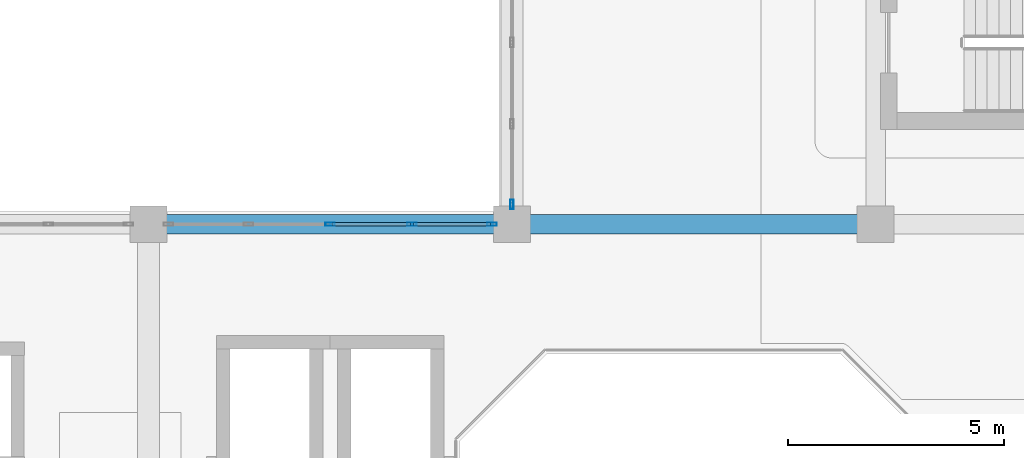
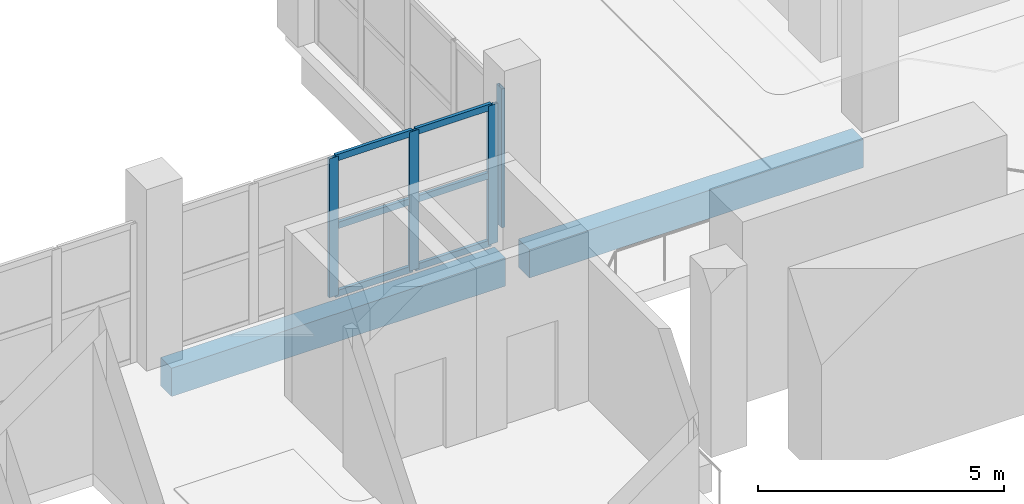
# One storey, part 53 of 129: 10 members, 2 beams, 2 elements without a shape of their own.
"""IFC4 building model written with IfcOpenShell, lengths in metres."""

import ifcopenshell
import ifcopenshell.guid

model = None  # the IFC model being written
_history = None  # IfcOwnerHistory: only IFC2X3 demands one
_inside = {}  # id of a spatial element -> (the spatial element, [elements in it])
_under = {}  # id of a project, library or spatial element -> (it, [spatial elements below it])
_declared = {}  # id of a project -> (the project, [libraries it declares])
_typed = {}  # id of a type object -> (the type object, [elements of that type])
_made_of = {}  # id of a material, layer set ... -> (it, [elements and type objects made of it])


def new_model(schema):
    """Start an empty IFC model of exactly this schema.

    Asked for "IFC4X3", IfcOpenShell would pick the latest addendum, in which some entities
    have other attributes; the version numbers below select the first issue.
    IFC2X3 requires an IfcOwnerHistory on every rooted entity: one is made here for all.
    """
    global model, _history
    if schema == "IFC4X3":
        model = ifcopenshell.file(schema_version=(4, 3, 0, 0))
    else:
        model = ifcopenshell.file(schema=schema)
    _inside.clear()
    _under.clear()
    _declared.clear()
    _typed.clear()
    _made_of.clear()
    _history = None
    if model.schema == "IFC2X3":
        org = make("IfcOrganization", Name="unknown")
        user = make(
            "IfcPersonAndOrganization",
            ThePerson=make("IfcPerson", FamilyName="unknown"),
            TheOrganization=org,
        )
        app = make(
            "IfcApplication",
            ApplicationDeveloper=org,
            Version="unknown",
            ApplicationFullName="unknown",
            ApplicationIdentifier="unknown",
        )
        _history = make(
            "IfcOwnerHistory",
            OwningUser=user,
            OwningApplication=app,
            ChangeAction="ADDED",
            CreationDate=0,
        )
    return model


def make(cls, **values):
    """One entity of the class cls with the attributes given. An attribute that is None is left unset."""
    return model.create_entity(
        cls, **{name: value for name, value in values.items() if value is not None}
    )


def rooted(cls, **values):
    """An entity with a GlobalId (a new one), such as an element, a storey or a relation."""
    return make(cls, GlobalId=ifcopenshell.guid.new(), OwnerHistory=_history, **values)


def si_unit(unit_type, name, prefix=None):
    """IfcSIUnit, for example si_unit("LENGTHUNIT", "METRE", prefix="MILLI")."""
    return make("IfcSIUnit", UnitType=unit_type, Prefix=prefix, Name=name)


def assignment(units):
    """IfcUnitAssignment: the units of a project."""
    return None if units is None else make("IfcUnitAssignment", Units=units)


def point(xyz):
    """IfcCartesianPoint."""
    return None if xyz is None else make("IfcCartesianPoint", Coordinates=xyz)


def direction(xyz):
    """IfcDirection."""
    return None if xyz is None else make("IfcDirection", DirectionRatios=xyz)


def frame(location, z_axis=None, x_axis=None):
    """IfcAxis2Placement3D, a coordinate frame: its origin and axes. An axis left out is left unset."""
    return make(
        "IfcAxis2Placement3D",
        Location=point(location),
        Axis=direction(z_axis),
        RefDirection=direction(x_axis),
    )


def frame_2d(location, x_axis=None):
    """IfcAxis2Placement2D, a coordinate frame in the plane: its origin and x axis."""
    return make(
        "IfcAxis2Placement2D", Location=point(location), RefDirection=direction(x_axis)
    )


def origin():
    """The frame at (0, 0, 0) with its axes left unset."""
    return frame((0.0, 0.0, 0.0))


def origin_2d():
    """The frame at (0, 0) in the plane with its x axis left unset."""
    return frame_2d((0.0, 0.0))


def place(relative_to, where):
    """IfcLocalPlacement: puts the frame where relative to a parent placement (None: the world)."""
    return make(
        "IfcLocalPlacement", PlacementRelTo=relative_to, RelativePlacement=where
    )


def context(
    kind, dimensions, precision=None, world=None, true_north=None, identifier=None
):
    """IfcGeometricRepresentationContext, for example the 3D "Model" context."""
    return make(
        "IfcGeometricRepresentationContext",
        ContextIdentifier=identifier,
        ContextType=kind,
        CoordinateSpaceDimension=dimensions,
        Precision=precision,
        WorldCoordinateSystem=world,
        TrueNorth=true_north,
    )


def subcontext(parent, identifier, kind, view, scale=None):
    """IfcGeometricRepresentationSubContext, for example "Body" below "Model"."""
    return make(
        "IfcGeometricRepresentationSubContext",
        ContextIdentifier=identifier,
        ContextType=kind,
        ParentContext=parent,
        TargetScale=scale,
        TargetView=view,
    )


def project(units=None, contexts=None):
    """IfcProject with its units and contexts."""
    return rooted(
        "IfcProject",
        Name="project",
        RepresentationContexts=contexts,
        UnitsInContext=assignment(units),
    )


def spatial(cls, under=None, at=None, **own):
    """A site, building, storey or space (cls), placed at a placement, below another one or the project."""
    s = rooted(cls, ObjectPlacement=at, **own)
    if under is not None:
        _under.setdefault(under.id(), (under, []))[1].append(s)
    return s


def profile(cls, at=None, kind="AREA", **sizes):
    """A parametric profile (cls). Its sizes go by their IFC names, for example OverallWidth=200.0."""
    return make(cls, ProfileType=kind, Position=at, **sizes)


def rectangle(**sizes):
    """IfcRectangleProfileDef."""
    return profile("IfcRectangleProfileDef", **sizes)


def hollow_rectangle(**sizes):
    """IfcRectangleHollowProfileDef."""
    return profile("IfcRectangleHollowProfileDef", **sizes)


def extrude(swept, where, along, depth):
    """IfcExtrudedAreaSolid: the profile swept, set in the frame where, extruded along a direction by depth."""
    return make(
        "IfcExtrudedAreaSolid",
        SweptArea=swept,
        Position=where,
        ExtrudedDirection=direction(along),
        Depth=depth,
    )


def shape(context_of_items, identifier, shape_type, items):
    """IfcShapeRepresentation: the items that make up one representation, for example the "Body"."""
    return make(
        "IfcShapeRepresentation",
        ContextOfItems=context_of_items,
        RepresentationIdentifier=identifier,
        RepresentationType=shape_type,
        Items=items,
    )


def material(Name=None, Category=None):
    """IfcMaterial."""
    return make("IfcMaterial", Name=Name, Category=Category)


def layer(
    of_material, thickness, ventilated=None, Name=None, Category=None, Priority=None
):
    """IfcMaterialLayer: one layer of a wall or slab, of a material (None: an air gap)."""
    return make(
        "IfcMaterialLayer",
        Material=of_material,
        LayerThickness=thickness,
        IsVentilated=ventilated,
        Name=Name,
        Category=Category,
        Priority=Priority,
    )


def layer_set(layers, Name=None):
    """IfcMaterialLayerSet."""
    return make("IfcMaterialLayerSet", MaterialLayers=layers, LayerSetName=Name)


def material_profile(
    of_material, cross_section, Name=None, Category=None, Priority=None
):
    """IfcMaterialProfile: a cross section and its material."""
    return make(
        "IfcMaterialProfile",
        Name=Name,
        Material=of_material,
        Profile=cross_section,
        Priority=Priority,
        Category=Category,
    )


def profile_set(profiles, Name=None, composite=None):
    """IfcMaterialProfileSet."""
    return make(
        "IfcMaterialProfileSet",
        Name=Name,
        MaterialProfiles=profiles,
        CompositeProfile=composite,
    )


def made_of(thing, what):
    """Note that an element or type object is made of a material, layer set ...; save() writes the relation."""
    if what is not None:
        _made_of.setdefault(what.id(), (what, []))[1].append(thing)
    return thing


def type_object(cls, material=None, **own):
    """A type object (cls), such as IfcWallType, which elements share."""
    return made_of(rooted(cls, **own), material)


def element(
    cls,
    number,
    at=None,
    inside=None,
    cuts=None,
    type_object=None,
    material=None,
    context=None,
    identifier="Body",
    shape_type=None,
    held_by="IfcProductDefinitionShape",
    body=None,
    shapes=None,
    **own,
):
    """One element of the class cls, such as IfcWall. Its Tag is "e" and its number.

    at: its placement. inside: the storey or other place that contains it. cuts: it is an
    opening in that element (IfcRelVoidsElement). A single representation is given by context,
    identifier, shape_type and body (its items); several are given by shapes. held_by: the class
    of the entity that holds the representations. save() writes the other relations.
    """
    e = rooted(cls, Tag="e%d" % number, ObjectPlacement=at, **own)
    if body is not None:
        shapes = [shape(context, identifier, shape_type, body)]
    if shapes is not None:
        e.Representation = make(held_by, Representations=shapes)
    if inside is not None:
        _inside.setdefault(inside.id(), (inside, []))[1].append(e)
    if cuts is not None:
        rooted(
            "IfcRelVoidsElement", RelatingBuildingElement=cuts, RelatedOpeningElement=e
        )
    if type_object is not None:
        _typed.setdefault(type_object.id(), (type_object, []))[1].append(e)
    return made_of(e, material)


def aggregate(whole, parts):
    """IfcRelAggregates: a whole, such as a stair, and the parts it consists of."""
    return rooted("IfcRelAggregates", RelatingObject=whole, RelatedObjects=parts)


def save(model, path):
    """Write the relations noted so far, then the file.

    IfcRelAggregates (storeys below a building ...), IfcRelContainedInSpatialStructure (elements
    in a storey), IfcRelDefinesByType, IfcRelAssociatesMaterial and IfcRelDeclares: one each for
    every whole, place, type object, material and project.
    """
    for whole, parts in _under.values():
        aggregate(whole, parts)
    for where, things in _inside.values():
        rooted(
            "IfcRelContainedInSpatialStructure",
            RelatedElements=things,
            RelatingStructure=where,
        )
    for kind, things in _typed.values():
        rooted("IfcRelDefinesByType", RelatedObjects=things, RelatingType=kind)
    for what, things in _made_of.values():
        rooted("IfcRelAssociatesMaterial", RelatedObjects=things, RelatingMaterial=what)
    for by, libraries in _declared.values():
        rooted("IfcRelDeclares", RelatingContext=by, RelatedDefinitions=libraries)
    model.write(path)


model = new_model("IFC4")

# Units and contexts
model_context = context("Model", 3, precision=1e-05, world=origin(), true_north=direction((0.0, 1.0)))
body_context = subcontext(model_context, "Body", "Model", "MODEL_VIEW")
ifc_project = project(units=[si_unit("LENGTHUNIT", "METRE"), si_unit("AREAUNIT", "SQUARE_METRE"), si_unit("VOLUMEUNIT", "CUBIC_METRE"), si_unit("PLANEANGLEUNIT", "RADIAN"), si_unit("MASSUNIT", "GRAM", prefix="KILO")], contexts=[model_context])

# Site, building, storey
site_placement = place(None, origin())
site = spatial("IfcSite", under=ifc_project, at=site_placement, CompositionType="ELEMENT")
building_placement = place(site_placement, origin())
building = spatial("IfcBuilding", under=site, at=building_placement, Name="Xazarin Passage Department Store", CompositionType="ELEMENT")
storey_placement = place(building_placement, frame((0.0, 0.0, 9.89990234375)))
storey = spatial("IfcBuildingStorey", under=building, at=storey_placement, Name="L02", CompositionType="ELEMENT", Elevation=9.89990234375)

# Curtain wall, members
ifc_material_1 = material(Name="Bronze anodised aluminium", Category="aluminium")
ifc_layer = layer(ifc_material_1, 0.199951171875)
ifc_layer_set = layer_set([ifc_layer], Name="Bronze anodised aluminium")
curtain_wall_type = type_object("IfcCurtainWallType", Name="ARC-CW-VIT2", PredefinedType="NOTDEFINED", material=ifc_layer_set)
curtain_wall_1_placement = place(storey_placement, origin())
curtain_wall_1 = element("IfcCurtainWall", 1, at=curtain_wall_1_placement, inside=storey, type_object=curtain_wall_type, Name="L02 V1 Curtain Wall 040", PredefinedType="NOTDEFINED")
ifc_material_profile_1 = material_profile(ifc_material_1, hollow_rectangle(XDim=0.074951171875, YDim=0.219970703125, WallThickness=0.0048828125, at=origin_2d()), Name="ALU 75x220")
ifc_profile_set_1 = profile_set([ifc_material_profile_1], Name="Bronze anodised aluminium")
member_type_1 = type_object("IfcMemberType", Name="ARC-CWM-75x220", PredefinedType="MULLION", material=ifc_profile_set_1)
member_1_placement = place(storey_placement, frame((12.60009765625, 101.60009765625, 0.0), z_axis=(0.0, 0.0, 1.0), x_axis=(0.0, 1.0, 0.0)))
member_1 = element("IfcMember", 2, at=member_1_placement, type_object=member_type_1, Name="CW2 mullion 3", PredefinedType="MULLION", context=body_context, shape_type="SweptSolid", body=[
    extrude(hollow_rectangle(XDim=0.074951171875, YDim=0.219970703125, WallThickness=0.0048828125, at=origin_2d()), origin(), (0.0, 0.0, 1.0), 3.4501953125),
])
member_2_placement = place(storey_placement, frame((14.487548828125, 101.60009765625, 0.0), z_axis=(0.0, 0.0, 1.0), x_axis=(0.0, 1.0, 0.0)))
member_2 = element("IfcMember", 3, at=member_2_placement, type_object=member_type_1, Name="CW2 mullion 4", PredefinedType="MULLION", context=body_context, shape_type="SweptSolid", body=[
    extrude(hollow_rectangle(XDim=0.074951171875, YDim=0.219970703125, WallThickness=0.0048828125, at=origin_2d()), origin(), (0.0, 0.0, 1.0), 3.4501953125),
])
member_3_placement = place(storey_placement, frame((16.33740234375, 101.60009765625, 0.0), z_axis=(0.0, 0.0, 1.0), x_axis=(0.0, 1.0, 0.0)))
member_3 = element("IfcMember", 4, at=member_3_placement, type_object=member_type_1, Name="CW2 mullion 5", PredefinedType="MULLION", context=body_context, shape_type="SweptSolid", body=[
    extrude(hollow_rectangle(XDim=0.074951171875, YDim=0.219970703125, WallThickness=0.0048828125, at=origin_2d()), origin(), (0.0, 0.0, 1.0), 3.4501953125),
])

# Curtain wall, member
curtain_wall_2_placement = place(storey_placement, origin())
curtain_wall_2 = element("IfcCurtainWall", 5, at=curtain_wall_2_placement, inside=storey, type_object=curtain_wall_type, Name="L02 V1 Curtain Wall 050", PredefinedType="NOTDEFINED")
member_4_placement = place(storey_placement, frame((16.800048828125, 102.0625, 0.0), z_axis=(0.0, 0.0, 1.0), x_axis=(-1.0, 0.0, 0.0)))
member_4 = element("IfcMember", 6, at=member_4_placement, type_object=member_type_1, Name="CW2 mullion 1", PredefinedType="MULLION", context=body_context, shape_type="SweptSolid", body=[
    extrude(hollow_rectangle(XDim=0.074951171875, YDim=0.219970703125, WallThickness=0.0048828125, at=origin_2d()), origin(), (0.0, 0.0, 1.0), 3.4501953125),
])
aggregate(curtain_wall_2, [member_4])

# Member
ifc_material_profile_2 = material_profile(ifc_material_1, hollow_rectangle(XDim=0.074951171875, YDim=0.159912109375, WallThickness=0.00439453125, at=origin_2d()), Name="ALU 75x160")
ifc_profile_set_2 = profile_set([ifc_material_profile_2], Name="Bronze anodised aluminium")
member_type_2 = type_object("IfcMemberType", Name="ARC-CWT-75x160", PredefinedType="USERDEFINED", material=ifc_profile_set_2)
member_5_placement = place(storey_placement, frame((12.637451171875, 101.60009765625, 0.03759765625), z_axis=(1.0, 0.0, 0.0), x_axis=(0.0, 1.0, 0.0)))
member_5 = element("IfcMember", 7, at=member_5_placement, type_object=member_type_2, Name="CW2 transom 3.1", ObjectType="TRANSOM", PredefinedType="USERDEFINED", context=body_context, shape_type="SweptSolid", body=[
    extrude(hollow_rectangle(XDim=0.074951171875, YDim=0.159912109375, WallThickness=0.00439453125, at=origin_2d()), origin(), (0.0, 0.0, 1.0), 1.8125),
])

member_6_placement = place(storey_placement, frame((12.637451171875, 101.60009765625, 1.72509765625), z_axis=(1.0, 0.0, 0.0), x_axis=(0.0, 1.0, 0.0)))
member_6 = element("IfcMember", 8, at=member_6_placement, type_object=member_type_2, Name="CW2 transom 3.2", ObjectType="TRANSOM", PredefinedType="USERDEFINED", context=body_context, shape_type="SweptSolid", body=[
    extrude(hollow_rectangle(XDim=0.074951171875, YDim=0.159912109375, WallThickness=0.00439453125, at=origin_2d()), origin(), (0.0, 0.0, 1.0), 1.8125),
])

member_7_placement = place(storey_placement, frame((12.637451171875, 101.60009765625, 3.41259765625), z_axis=(1.0, 0.0, 0.0), x_axis=(0.0, 1.0, 0.0)))
member_7 = element("IfcMember", 9, at=member_7_placement, type_object=member_type_2, Name="CW2 transom 3.3", ObjectType="TRANSOM", PredefinedType="USERDEFINED", context=body_context, shape_type="SweptSolid", body=[
    extrude(hollow_rectangle(XDim=0.074951171875, YDim=0.159912109375, WallThickness=0.00439453125, at=origin_2d()), origin(), (0.0, 0.0, 1.0), 1.8125),
])

member_8_placement = place(storey_placement, frame((14.52490234375, 101.60009765625, 0.03759765625), z_axis=(1.0, 0.0, 0.0), x_axis=(0.0, 1.0, 0.0)))
member_8 = element("IfcMember", 10, at=member_8_placement, type_object=member_type_2, Name="CW2 transom 4.1", ObjectType="TRANSOM", PredefinedType="USERDEFINED", context=body_context, shape_type="SweptSolid", body=[
    extrude(hollow_rectangle(XDim=0.074951171875, YDim=0.159912109375, WallThickness=0.00439453125, at=origin_2d()), origin(), (0.0, 0.0, 1.0), 1.775146484375),
])

member_9_placement = place(storey_placement, frame((14.52490234375, 101.60009765625, 1.72509765625), z_axis=(1.0, 0.0, 0.0), x_axis=(0.0, 1.0, 0.0)))
member_9 = element("IfcMember", 11, at=member_9_placement, type_object=member_type_2, Name="CW2 transom 4.2", ObjectType="TRANSOM", PredefinedType="USERDEFINED", context=body_context, shape_type="SweptSolid", body=[
    extrude(hollow_rectangle(XDim=0.074951171875, YDim=0.159912109375, WallThickness=0.00439453125, at=origin_2d()), origin(), (0.0, 0.0, 1.0), 1.775146484375),
])

member_10_placement = place(storey_placement, frame((14.52490234375, 101.60009765625, 3.41259765625), z_axis=(1.0, 0.0, 0.0), x_axis=(0.0, 1.0, 0.0)))
member_10 = element("IfcMember", 12, at=member_10_placement, type_object=member_type_2, Name="CW2 transom 4.3", ObjectType="TRANSOM", PredefinedType="USERDEFINED", context=body_context, shape_type="SweptSolid", body=[
    extrude(hollow_rectangle(XDim=0.074951171875, YDim=0.159912109375, WallThickness=0.00439453125, at=origin_2d()), origin(), (0.0, 0.0, 1.0), 1.775146484375),
])

aggregate(curtain_wall_1, [member_1, member_2, member_3, member_5, member_6, member_7, member_8, member_9, member_10])

# Beams
ifc_material_2 = material(Name="Concrete C35/45", Category="concrete")
ifc_material_profile_3 = material_profile(ifc_material_2, rectangle(XDim=0.449951171875, YDim=0.699951171875, at=origin_2d()), Name="RC 450x700")
ifc_profile_set_3 = profile_set([ifc_material_profile_3], Name="Concrete C35/45")
beam_type = type_object("IfcBeamType", Name="STR-BM-G450x700", PredefinedType="BEAM", material=ifc_profile_set_3)
beam_1_placement = place(storey_placement, frame((8.679931640625, 101.60009765625, -0.64990234375), z_axis=(1.0, 0.0, 0.0), x_axis=(0.0, 1.0, 0.0)))
element("IfcBeam", 13, at=beam_1_placement, inside=storey, type_object=beam_type, Name="L02 Grid Beam P/2-3", PredefinedType="BEAM", context=body_context, shape_type="SweptSolid", body=[
    extrude(rectangle(XDim=0.449951171875, YDim=0.699951171875, at=origin_2d()), origin(), (0.0, 0.0, 1.0), 7.840087890625),
])
beam_2_placement = place(storey_placement, frame((17.080078125, 101.60009765625, -0.64990234375), z_axis=(1.0, 0.0, 0.0), x_axis=(0.0, 1.0, 0.0)))
element("IfcBeam", 14, at=beam_2_placement, inside=storey, type_object=beam_type, Name="L02 Grid Beam P/3-4", PredefinedType="BEAM", context=body_context, shape_type="SweptSolid", body=[
    extrude(rectangle(XDim=0.449951171875, YDim=0.699951171875, at=origin_2d()), origin(), (0.0, 0.0, 1.0), 7.83984375),
])

save(model, "model.ifc")
